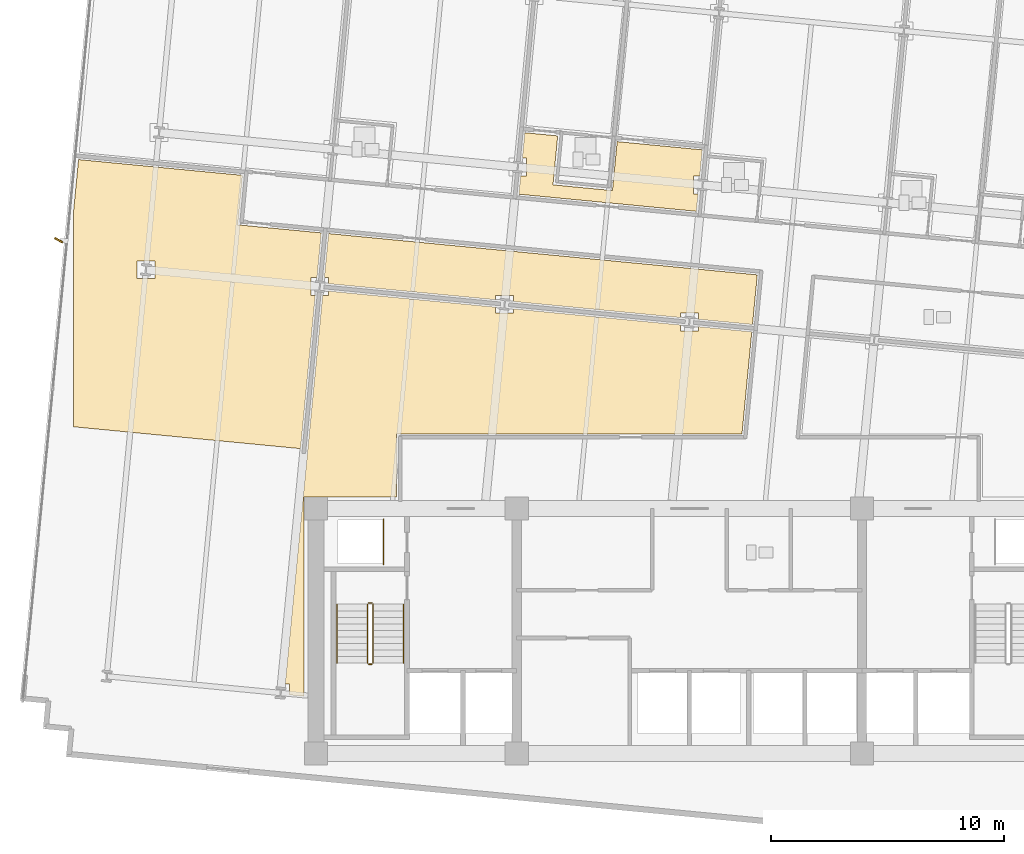
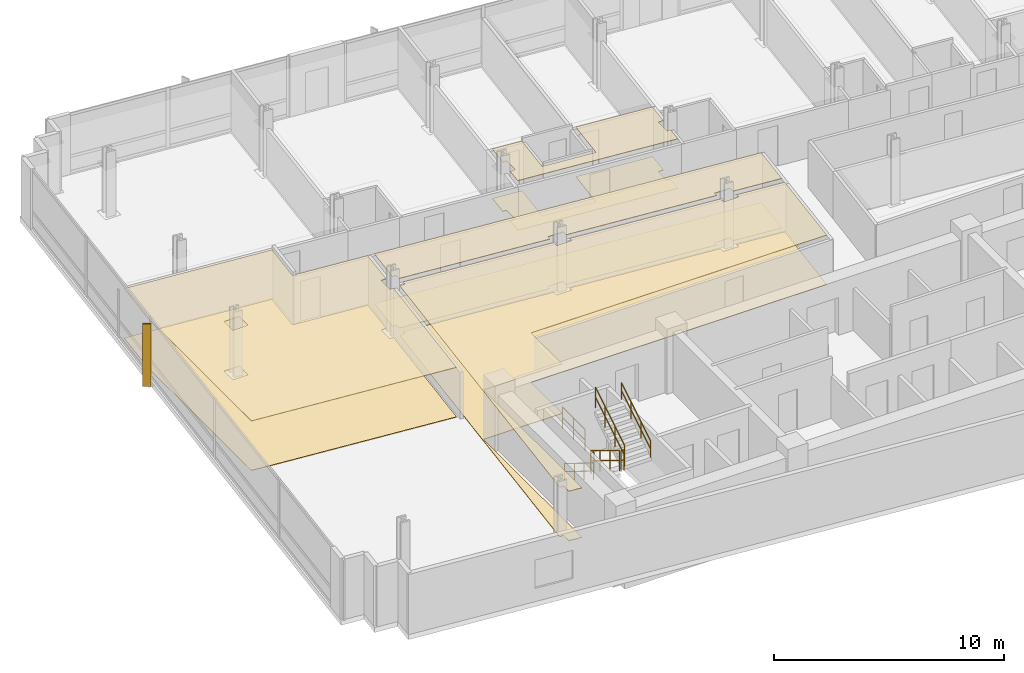
# One storey, part 14 of 17: 8 coverings, 7 railings, 1 shading device.
"""IFC4 building model written with IfcOpenShell, lengths in metres."""

from ifc_helpers import new_model, si_unit, direction, frame, origin, origin_2d, place, context, subcontext, project, spatial, polyline, rectangle, circle, outline, extrude, material, layer, layer_set, type_object, element, save


model = new_model("IFC4")

# Units and contexts
model_context = context("Model", 3, precision=1e-05, world=origin(), true_north=direction((0.0, 1.0)))
body_context = subcontext(model_context, "Body", "Model", "MODEL_VIEW")
ifc_project = project(units=[si_unit("LENGTHUNIT", "METRE"), si_unit("AREAUNIT", "SQUARE_METRE"), si_unit("VOLUMEUNIT", "CUBIC_METRE"), si_unit("PLANEANGLEUNIT", "RADIAN"), si_unit("MASSUNIT", "GRAM", prefix="KILO")], contexts=[model_context])

# Site, building, storey
site_placement = place(None, origin())
site = spatial("IfcSite", under=ifc_project, at=site_placement, CompositionType="ELEMENT")
building_placement = place(site_placement, origin())
building = spatial("IfcBuilding", under=site, at=building_placement, Name="Solmavex Isthmus Hotel", CompositionType="ELEMENT")
storey_placement = place(building_placement, frame((0.0, 0.0, 139.35009765625)))
storey = spatial("IfcBuildingStorey", under=building, at=storey_placement, Name="L37", CompositionType="ELEMENT", Elevation=139.35009765625)

# Coverings
ifc_material_1 = material(Name="Gypsum plasterboard lining", Category="gypsum")
ifc_layer_1 = layer(ifc_material_1, 0.030029296875)
ifc_layer_set_1 = layer_set([ifc_layer_1], Name="Gypsum plasterboard lining")
covering_type_1 = type_object("IfcCoveringType", Name="COV-CEIL-GYP", PredefinedType="CEILING", material=ifc_layer_set_1)
covering_1_placement = place(storey_placement, frame((0.0, 0.0, 2.619873046875)))
element("IfcCovering", 1, at=covering_1_placement, inside=storey, type_object=covering_type_1, Name="Suspended Acoustic Ceiling L37-ST03-FY", PredefinedType="CEILING", context=body_context, shape_type="SweptSolid", body=[
    extrude(outline(polyline([(-3.094482421875, 13.2255859375), (-3.296630859375, 11.12744140625), (-5.8447265625, 11.372802734375), (-5.642822265625, 13.470947265625), (-7.05419921875, 13.60693359375), (-7.159423828125, 12.513671875), (-6.971923828125, 12.513671875), (-6.971923828125, 11.753662109375), (-7.232666015625, 11.753662109375), (-7.30810546875, 10.97119140625), (0.302734375, 10.23828125), (0.375244140625, 10.9912109375), (0.1875, 10.9912109375), (0.1875, 11.751220703125), (0.448486328125, 11.751220703125), (0.556640625, 12.8740234375), (-3.094482421875, 13.2255859375)])), origin(), (0.0, 0.0, 1.0), 0.030029296875),
])
covering_2_placement = place(storey_placement, frame((0.0, 0.0, 2.619873046875)))
element("IfcCovering", 2, at=covering_2_placement, inside=storey, type_object=covering_type_1, Name="Suspended Acoustic Ceiling L37-FL09", PredefinedType="CEILING", context=body_context, shape_type="SweptSolid", body=[
    extrude(outline(polyline([(-0.378662109375, 5.6826171875), (-0.378662109375, 5.870361328125), (0.38134765625, 5.870361328125), (0.38134765625, 5.609375), (2.706787109375, 5.385498046875), (2.911865234375, 7.515625), (-15.463134765625, 9.284912109375), (-15.645263671875, 7.3955078125), (-15.45751953125, 7.3955078125), (-15.45751953125, 7.134521484375), (-8.298095703125, 6.445068359375), (-8.298095703125, 6.6328125), (-7.5380859375, 6.6328125), (-7.5380859375, 6.3720703125), (-0.378662109375, 5.6826171875)])), origin(), (0.0, 0.0, 1.0), 0.030029296875),
])
covering_3_placement = place(storey_placement, frame((0.0, 0.0, 2.619873046875)))
element("IfcCovering", 3, at=covering_3_placement, inside=storey, type_object=covering_type_1, Name="Suspended Acoustic Ceiling L37-FL12", PredefinedType="CEILING", context=body_context, shape_type="SweptSolid", body=[
    extrude(outline(polyline([(-16.02978515625, 6.635498046875), (-16.217529296875, 6.635498046875), (-16.217529296875, 7.3955078125), (-15.95654296875, 7.3955078125), (-15.771728515625, 9.314697265625), (-19.355224609375, 9.65966796875), (-19.151123046875, 11.780029296875), (-26.176513671875, 12.45654296875), (-26.39990234375, 10.135986328125), (-26.39990234375, 1.005126953125), (-16.662109375, 0.0673828125), (-16.02978515625, 6.635498046875)]), holes=[polyline([(-23.6708984375, 7.35302734375), (-23.6708984375, 8.113037109375), (-22.910888671875, 8.113037109375), (-22.910888671875, 7.35302734375), (-23.6708984375, 7.35302734375)])]), origin(), (0.0, 0.0, 1.0), 0.030029296875),
])
covering_4_placement = place(storey_placement, frame((0.0, 0.0, 2.619873046875)))
element("IfcCovering", 4, at=covering_4_placement, inside=storey, type_object=covering_type_1, Name="Suspended Acoustic Ceiling L37-FL13", PredefinedType="CEILING", context=body_context, shape_type="SweptSolid", body=[
    extrude(outline(polyline([(-17.322509765625, -10.02392578125), (-17.134765625, -10.02392578125), (-17.134765625, -10.48583984375), (-16.5048828125, -10.54638671875), (-16.5048828125, -1.9951171875), (-12.554931640625, -1.9951171875), (-12.554931640625, 0.705078125), (2.256103515625, 0.705078125), (2.677001953125, 5.076904296875), (0.38134765625, 5.298095703125), (0.38134765625, 5.1103515625), (-0.378662109375, 5.1103515625), (-0.378662109375, 5.37109375), (-7.5380859375, 6.060546875), (-7.5380859375, 5.872802734375), (-8.298095703125, 5.872802734375), (-8.298095703125, 6.1337890625), (-15.45751953125, 6.822998046875), (-15.45751953125, 6.635498046875), (-15.71826171875, 6.635498046875), (-17.322509765625, -10.02392578125)])), origin(), (0.0, 0.0, 1.0), 0.030029296875),
])
ifc_material_2 = material(Name="Travertine natural stone", Category="masonry")
ifc_layer_2 = layer(ifc_material_2, 0.02490234375)
ifc_layer_set_2 = layer_set([ifc_layer_2], Name="Travertine natural stone")
covering_type_2 = type_object("IfcCoveringType", Name="COV-FLOR-STN", PredefinedType="FLOORING", material=ifc_layer_set_2)
covering_5_placement = place(storey_placement, origin())
element("IfcCovering", 5, at=covering_5_placement, inside=storey, type_object=covering_type_2, Name="Stone and Timber Floor Finish L37-ST03-FY", PredefinedType="FLOORING", context=body_context, shape_type="SweptSolid", body=[
    extrude(outline(polyline([(-3.094482421875, 13.2255859375), (-3.296630859375, 11.12744140625), (-5.8447265625, 11.372802734375), (-5.642822265625, 13.470947265625), (-7.05419921875, 13.60693359375), (-7.159423828125, 12.513671875), (-6.971923828125, 12.513671875), (-6.971923828125, 11.753662109375), (-7.232666015625, 11.753662109375), (-7.30810546875, 10.97119140625), (0.302734375, 10.23828125), (0.375244140625, 10.9912109375), (0.1875, 10.9912109375), (0.1875, 11.751220703125), (0.448486328125, 11.751220703125), (0.556640625, 12.8740234375), (-3.094482421875, 13.2255859375)])), origin(), (0.0, 0.0, 1.0), 0.02490234375),
])
covering_6_placement = place(storey_placement, origin())
element("IfcCovering", 6, at=covering_6_placement, inside=storey, type_object=covering_type_2, Name="Stone and Timber Floor Finish L37-FL09", PredefinedType="FLOORING", context=body_context, shape_type="SweptSolid", body=[
    extrude(outline(polyline([(-0.378662109375, 5.6826171875), (-0.378662109375, 5.870361328125), (0.38134765625, 5.870361328125), (0.38134765625, 5.609375), (2.706787109375, 5.385498046875), (2.911865234375, 7.515625), (-15.463134765625, 9.284912109375), (-15.645263671875, 7.3955078125), (-15.45751953125, 7.3955078125), (-15.45751953125, 7.134521484375), (-8.298095703125, 6.445068359375), (-8.298095703125, 6.6328125), (-7.5380859375, 6.6328125), (-7.5380859375, 6.3720703125), (-0.378662109375, 5.6826171875)])), origin(), (0.0, 0.0, 1.0), 0.02490234375),
])
covering_7_placement = place(storey_placement, origin())
element("IfcCovering", 7, at=covering_7_placement, inside=storey, type_object=covering_type_2, Name="Stone and Timber Floor Finish L37-FL12", PredefinedType="FLOORING", context=body_context, shape_type="SweptSolid", body=[
    extrude(outline(polyline([(-16.02978515625, 6.635498046875), (-16.217529296875, 6.635498046875), (-16.217529296875, 7.3955078125), (-15.95654296875, 7.3955078125), (-15.771728515625, 9.314697265625), (-19.355224609375, 9.65966796875), (-19.151123046875, 11.780029296875), (-26.176513671875, 12.45654296875), (-26.39990234375, 10.135986328125), (-26.39990234375, 1.005126953125), (-16.662109375, 0.0673828125), (-16.02978515625, 6.635498046875)]), holes=[polyline([(-23.6708984375, 7.35302734375), (-23.6708984375, 8.113037109375), (-22.910888671875, 8.113037109375), (-22.910888671875, 7.35302734375), (-23.6708984375, 7.35302734375)])]), origin(), (0.0, 0.0, 1.0), 0.02490234375),
])
covering_8_placement = place(storey_placement, origin())
element("IfcCovering", 8, at=covering_8_placement, inside=storey, type_object=covering_type_2, Name="Stone and Timber Floor Finish L37-FL13", PredefinedType="FLOORING", context=body_context, shape_type="SweptSolid", body=[
    extrude(outline(polyline([(-17.322509765625, -10.02392578125), (-17.134765625, -10.02392578125), (-17.134765625, -10.48583984375), (-16.5048828125, -10.54638671875), (-16.5048828125, -1.9951171875), (-12.554931640625, -1.9951171875), (-12.554931640625, 0.705078125), (2.256103515625, 0.705078125), (2.677001953125, 5.076904296875), (0.38134765625, 5.298095703125), (0.38134765625, 5.1103515625), (-0.378662109375, 5.1103515625), (-0.378662109375, 5.37109375), (-7.5380859375, 6.060546875), (-7.5380859375, 5.872802734375), (-8.298095703125, 5.872802734375), (-8.298095703125, 6.1337890625), (-15.45751953125, 6.822998046875), (-15.45751953125, 6.635498046875), (-15.71826171875, 6.635498046875), (-17.322509765625, -10.02392578125)])), origin(), (0.0, 0.0, 1.0), 0.02490234375),
])

# Railings
ifc_material_3 = material(Name="Clear low-E laminated glass", Category="glass")
ifc_layer_3 = layer(ifc_material_3, 0.080078125)
ifc_layer_set_3 = layer_set([ifc_layer_3], Name="Clear low-E laminated glass")
railing_type_1 = type_object("IfcRailingType", Name="RAIL-ATRIUM-1120", PredefinedType="BALUSTRADE", material=ifc_layer_set_3)
railing_1_placement = place(storey_placement, frame((-13.10009765625, -4.89990234375, 0.0)))
element("IfcRailing", 9, at=railing_1_placement, inside=storey, type_object=railing_type_1, Name="Guardrail Balustrade L37-RSW-01", PredefinedType="BALUSTRADE", context=body_context, shape_type="SweptSolid", body=[
    extrude(circle(Radius=0.02392578125, at=origin_2d()), frame((0.0, 0.0, 1.1259765625), z_axis=(0.0, 1.0, 0.0), x_axis=(-1.0, 0.0, 0.0)), (0.0, 0.0, 1.0), 1.949951171875),
    extrude(circle(Radius=0.02392578125, at=origin_2d()), frame((0.0, 0.0, 0.574951171875), z_axis=(0.0, 1.0, 0.0), x_axis=(-1.0, 0.0, 0.0)), (0.0, 0.0, 1.0), 1.949951171875),
    extrude(circle(Radius=0.02099609375, at=origin_2d()), origin(), (0.0, 0.0, 1.0), 1.101806640625),
    extrude(circle(Radius=0.02099609375, at=origin_2d()), frame((0.0, 0.97509765625, 0.0)), (0.0, 0.0, 1.0), 1.101806640625),
    extrude(circle(Radius=0.02099609375, at=origin_2d()), frame((0.0, 1.949951171875, 0.0)), (0.0, 0.0, 1.0), 1.101806640625),
])
ifc_material_4 = material(Name="Stainless steel 316", Category="steel")
ifc_layer_4 = layer(ifc_material_4, 0.06005859375)
ifc_layer_set_4 = layer_set([ifc_layer_4], Name="Stainless steel 316")
railing_type_2 = type_object("IfcRailingType", Name="RAIL-STAIR-GD", PredefinedType="GUARDRAIL", material=ifc_layer_set_4)
railing_2_placement = place(storey_placement, frame((-13.800048828125, -6.60009765625, 0.17236328125)))
element("IfcRailing", 10, at=railing_2_placement, inside=storey, type_object=railing_type_2, Name="L37 ST-1 stair guard 1", PredefinedType="GUARDRAIL", context=body_context, shape_type="SweptSolid", body=[
    extrude(circle(Radius=0.02392578125, at=origin_2d()), frame((0.0, 0.0, 1.09619140625), z_axis=(0.0, -0.851400495292, 0.524516154772), x_axis=(1.0, 0.0, 0.0)), (0.0, 0.0, 1.0), 2.9599609375),
    extrude(circle(Radius=0.02392578125, at=origin_2d()), frame((0.0, 0.0, 0.56005859375), z_axis=(0.0, -0.851400495292, 0.524516154772), x_axis=(1.0, 0.0, 0.0)), (0.0, 0.0, 1.0), 2.9599609375),
    extrude(circle(Radius=0.02099609375, at=origin_2d()), origin(), (0.0, 0.0, 1.0), 1.072021484375),
    extrude(circle(Radius=0.02099609375, at=origin_2d()), frame((0.0, -0.840087890625, 0.517578125)), (0.0, 0.0, 1.0), 1.072021484375),
    extrude(circle(Radius=0.02099609375, at=origin_2d()), frame((0.0, -1.679931640625, 1.034912109375)), (0.0, 0.0, 1.0), 1.072021484375),
    extrude(circle(Radius=0.02099609375, at=origin_2d()), frame((0.0, -2.52001953125, 1.552490234375)), (0.0, 0.0, 1.0), 1.072021484375),
])
railing_3_placement = place(storey_placement, frame((-13.75, -9.169921875, 1.724853515625)))
element("IfcRailing", 11, at=railing_3_placement, inside=storey, type_object=railing_type_2, Name="L37 ST-1 stair guard 2", PredefinedType="GUARDRAIL", context=body_context, shape_type="SweptSolid", body=[
    extrude(circle(Radius=0.02392578125, at=origin_2d()), frame((0.0, 0.0, 1.09619140625), z_axis=(1.0, 0.0, 0.0), x_axis=(0.0, 1.0, 0.0)), (0.0, 0.0, 1.0), 0.14990234375),
    extrude(circle(Radius=0.02392578125, at=origin_2d()), frame((0.0, 0.0, 0.56005859375), z_axis=(1.0, 0.0, 0.0), x_axis=(0.0, 1.0, 0.0)), (0.0, 0.0, 1.0), 0.14990234375),
    extrude(circle(Radius=0.02099609375, at=origin_2d()), origin(), (0.0, 0.0, 1.0), 1.072021484375),
    extrude(circle(Radius=0.02099609375, at=origin_2d()), frame((0.14990234375, 0.0, 0.0)), (0.0, 0.0, 1.0), 1.072021484375),
])
railing_4_placement = place(storey_placement, frame((-13.550048828125, -9.1201171875, 1.8974609375)))
element("IfcRailing", 12, at=railing_4_placement, inside=storey, type_object=railing_type_2, Name="L37 ST-1 stair guard 3", PredefinedType="GUARDRAIL", context=body_context, shape_type="SweptSolid", body=[
    extrude(circle(Radius=0.02392578125, at=origin_2d()), frame((0.0, 0.0, 1.09619140625), z_axis=(0.0, 0.851400495292, 0.524516154772), x_axis=(-1.0, 0.0, 0.0)), (0.0, 0.0, 1.0), 2.9599609375),
    extrude(circle(Radius=0.02392578125, at=origin_2d()), frame((0.0, 0.0, 0.56005859375), z_axis=(0.0, 0.851400495292, 0.524516154772), x_axis=(-1.0, 0.0, 0.0)), (0.0, 0.0, 1.0), 2.9599609375),
    extrude(circle(Radius=0.02099609375, at=origin_2d()), origin(), (0.0, 0.0, 1.0), 1.072021484375),
    extrude(circle(Radius=0.02099609375, at=origin_2d()), frame((0.0, 0.840087890625, 0.517578125)), (0.0, 0.0, 1.0), 1.072021484375),
    extrude(circle(Radius=0.02099609375, at=origin_2d()), frame((0.0, 1.679931640625, 1.034912109375)), (0.0, 0.0, 1.0), 1.072021484375),
    extrude(circle(Radius=0.02099609375, at=origin_2d()), frame((0.0, 2.52001953125, 1.552490234375)), (0.0, 0.0, 1.0), 1.072021484375),
])
railing_5_placement = place(storey_placement, frame((-13.75, -6.550048828125, 0.0)))
element("IfcRailing", 13, at=railing_5_placement, inside=storey, type_object=railing_type_2, Name="L37 ST-1 stair guard 4", PredefinedType="GUARDRAIL", context=body_context, shape_type="SweptSolid", body=[
    extrude(circle(Radius=0.02392578125, at=origin_2d()), frame((0.0, 0.0, 1.09619140625), z_axis=(1.0, 0.0, 0.0), x_axis=(0.0, 1.0, 0.0)), (0.0, 0.0, 1.0), 0.14990234375),
    extrude(circle(Radius=0.02392578125, at=origin_2d()), frame((0.0, 0.0, 0.56005859375), z_axis=(1.0, 0.0, 0.0), x_axis=(0.0, 1.0, 0.0)), (0.0, 0.0, 1.0), 0.14990234375),
    extrude(circle(Radius=0.02099609375, at=origin_2d()), origin(), (0.0, 0.0, 1.0), 1.072021484375),
    extrude(circle(Radius=0.02099609375, at=origin_2d()), frame((0.14990234375, 0.0, 0.0)), (0.0, 0.0, 1.0), 1.072021484375),
])
ifc_layer_5 = layer(ifc_material_4, 0.050048828125)
ifc_layer_set_5 = layer_set([ifc_layer_5], Name="Stainless steel 316")
railing_type_3 = type_object("IfcRailingType", Name="RAIL-STAIR-HR", PredefinedType="HANDRAIL", material=ifc_layer_set_5)
railing_6_placement = place(storey_placement, frame((-15.10009765625, -6.60009765625, 0.17236328125)))
element("IfcRailing", 14, at=railing_6_placement, inside=storey, type_object=railing_type_3, Name="L37 ST-1 stair handrail 1", PredefinedType="HANDRAIL", context=body_context, shape_type="SweptSolid", body=[
    extrude(circle(Radius=0.02392578125, at=origin_2d()), frame((0.0, 0.0, 0.8759765625), z_axis=(0.0, -0.851400495292, 0.524516154772), x_axis=(1.0, 0.0, 0.0)), (0.0, 0.0, 1.0), 2.9599609375),
    extrude(circle(Radius=0.02392578125, at=origin_2d()), frame((0.0, 0.0, 0.449951171875), z_axis=(0.0, -0.851400495292, 0.524516154772), x_axis=(1.0, 0.0, 0.0)), (0.0, 0.0, 1.0), 2.9599609375),
    extrude(circle(Radius=0.02099609375, at=origin_2d()), origin(), (0.0, 0.0, 1.0), 0.851806640625),
    extrude(circle(Radius=0.02099609375, at=origin_2d()), frame((0.0, -0.840087890625, 0.517578125)), (0.0, 0.0, 1.0), 0.851806640625),
    extrude(circle(Radius=0.02099609375, at=origin_2d()), frame((0.0, -1.679931640625, 1.034912109375)), (0.0, 0.0, 1.0), 0.851806640625),
    extrude(circle(Radius=0.02099609375, at=origin_2d()), frame((0.0, -2.52001953125, 1.552490234375)), (0.0, 0.0, 1.0), 0.851806640625),
])
railing_7_placement = place(storey_placement, frame((-12.25, -9.1201171875, 1.8974609375)))
element("IfcRailing", 15, at=railing_7_placement, inside=storey, type_object=railing_type_3, Name="L37 ST-1 stair handrail 2", PredefinedType="HANDRAIL", context=body_context, shape_type="SweptSolid", body=[
    extrude(circle(Radius=0.02392578125, at=origin_2d()), frame((0.0, 0.0, 0.8759765625), z_axis=(0.0, 0.851400495292, 0.524516154772), x_axis=(-1.0, 0.0, 0.0)), (0.0, 0.0, 1.0), 2.9599609375),
    extrude(circle(Radius=0.02392578125, at=origin_2d()), frame((0.0, 0.0, 0.449951171875), z_axis=(0.0, 0.851400495292, 0.524516154772), x_axis=(-1.0, 0.0, 0.0)), (0.0, 0.0, 1.0), 2.9599609375),
    extrude(circle(Radius=0.02099609375, at=origin_2d()), origin(), (0.0, 0.0, 1.0), 0.851806640625),
    extrude(circle(Radius=0.02099609375, at=origin_2d()), frame((0.0, 0.840087890625, 0.517578125)), (0.0, 0.0, 1.0), 0.851806640625),
    extrude(circle(Radius=0.02099609375, at=origin_2d()), frame((0.0, 1.679931640625, 1.034912109375)), (0.0, 0.0, 1.0), 0.851806640625),
    extrude(circle(Radius=0.02099609375, at=origin_2d()), frame((0.0, 2.52001953125, 1.552490234375)), (0.0, 0.0, 1.0), 0.851806640625),
])

# Shading device
ifc_material_5 = material(Name="Aluminium alloy 6063-T6", Category="aluminium")
shading_device_type = type_object("IfcShadingDeviceType", Name="SHD-FIN-CHAMP", PredefinedType="USERDEFINED", material=ifc_material_5)
shading_device_placement = place(storey_placement, frame((-27.027099609375, 8.9970703125, -0.14013671875), z_axis=(0.0, 0.0, 1.0), x_axis=(-0.87035569594, 0.492423560103, 0.0)))
element("IfcShadingDevice", 16, at=shading_device_placement, inside=storey, type_object=shading_device_type, Name="Anodised Aluminium Solar Fin L37-W1", ObjectType="SOLAR_FIN", PredefinedType="USERDEFINED", context=body_context, shape_type="SweptSolid", body=[
    extrude(rectangle(XDim=0.3798828125, YDim=0.070068359375, at=origin_2d()), origin(), (0.0, 0.0, 1.0), 3.330078125),
])

save(model, "model.ifc")
